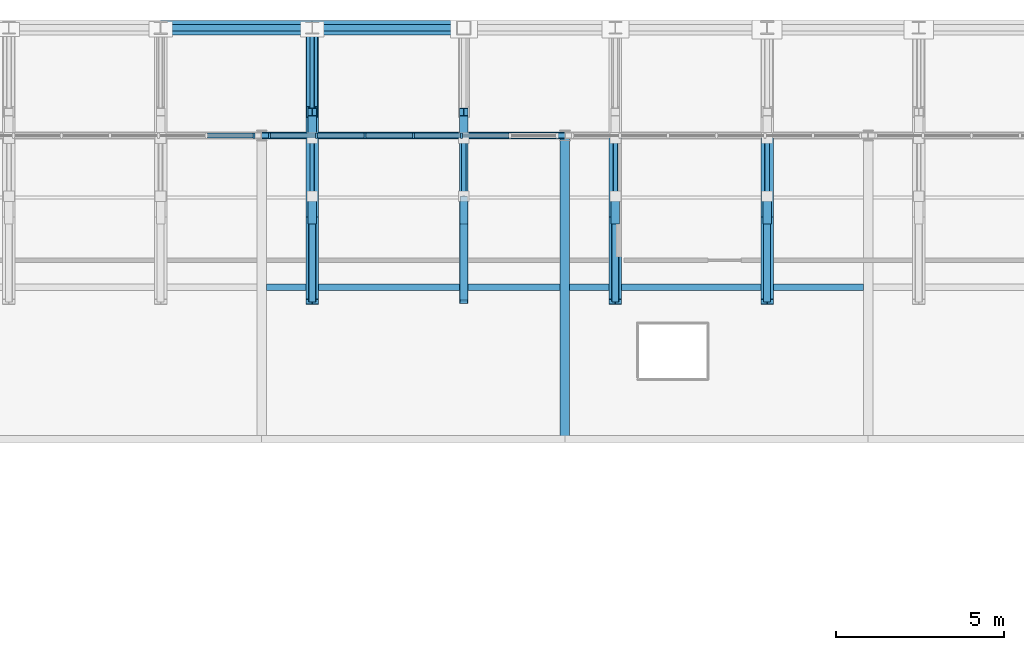
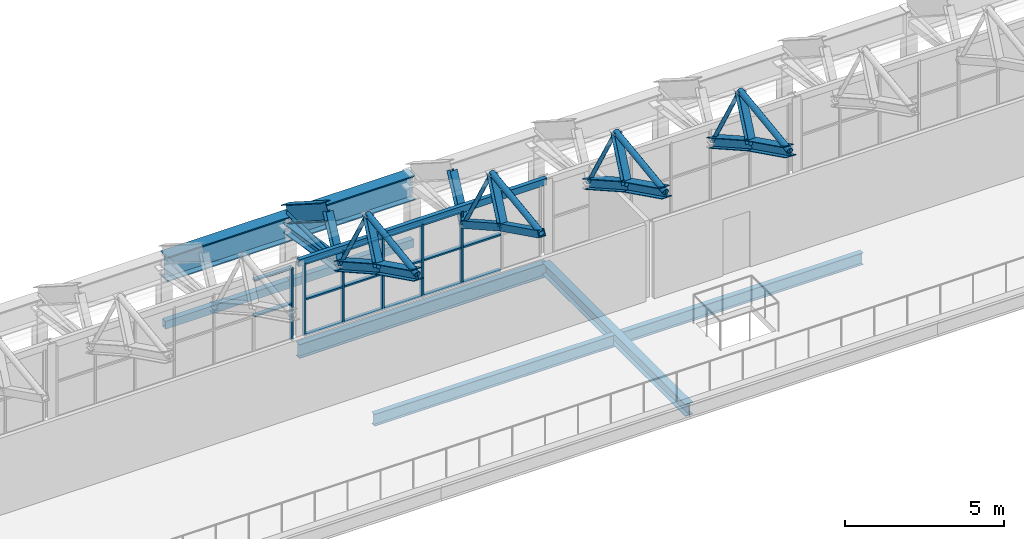
# One storey, part 71 of 134: 46 members, 10 beams, 2 elements without a shape of their own.
"""IFC4 building model written with IfcOpenShell, lengths in metres."""

from ifc_helpers import new_model, si_unit, direction, frame, origin, origin_2d, place, context, subcontext, project, spatial, rectangle, hollow_rectangle, hollow_circle, i_section, extrude, material, layer, layer_set, material_profile, profile_set, type_object, element, aggregate, save


model = new_model("IFC4")

# Units and contexts
model_context = context("Model", 3, precision=1e-05, world=origin(), true_north=direction((0.0, 1.0)))
body_context = subcontext(model_context, "Body", "Model", "MODEL_VIEW")
ifc_project = project(units=[si_unit("LENGTHUNIT", "METRE"), si_unit("AREAUNIT", "SQUARE_METRE"), si_unit("VOLUMEUNIT", "CUBIC_METRE"), si_unit("PLANEANGLEUNIT", "RADIAN"), si_unit("MASSUNIT", "GRAM", prefix="KILO")], contexts=[model_context])

# Site, building, storey
site_placement = place(None, origin())
site = spatial("IfcSite", under=ifc_project, at=site_placement, CompositionType="ELEMENT")
building_placement = place(site_placement, origin())
building = spatial("IfcBuilding", under=site, at=building_placement, Name="Cazmaro Siding Exhibition Halls", CompositionType="ELEMENT")
storey_placement = place(building_placement, frame((0.0, 0.0, 12.0)))
storey = spatial("IfcBuildingStorey", under=building, at=storey_placement, Name="L02", CompositionType="ELEMENT", Elevation=12.0)

# Beams
ifc_material_1 = material(Name="Steel ASTM A992 Grade 50", Category="steel")
ifc_material_profile_1 = material_profile(ifc_material_1, i_section(OverallWidth=0.327880859375, OverallDepth=0.626953125, WebThickness=0.01708984375, FlangeThickness=0.028076171875, at=origin_2d()), Name="W24X146")
ifc_profile_set_1 = profile_set([ifc_material_profile_1], Name="Steel ASTM A992 Grade 50")
beam_type_1 = type_object("IfcBeamType", Name="AR-01", PredefinedType="USERDEFINED", material=ifc_profile_set_1)
beam_1_placement = place(storey_placement, frame((112.5, 121.5, 3.89306640625), z_axis=(0.0, 0.843339173298, -0.537381650954), x_axis=(-1.0, 0.0, 0.0)))
element("IfcBeam", 1, at=beam_1_placement, inside=storey, type_object=beam_type_1, Name="Space frame barrel vault arched rib AR-01 BM-0918", ObjectType="ARCHED RIB", PredefinedType="USERDEFINED", context=body_context, shape_type="SweptSolid", body=[
    extrude(i_section(OverallWidth=0.327880859375, OverallDepth=0.626953125, WebThickness=0.01708984375, FlangeThickness=0.028076171875, at=origin_2d()), origin(), (0.0, 0.0, 1.0), 2.96435546875),
])
ifc_material_2 = material(Name="Steel ASTM A992 Grade 50", Category="steel")
ifc_material_profile_2 = material_profile(ifc_material_2, i_section(OverallWidth=0.2099609375, OverallDepth=0.535888671875, WebThickness=0.010986328125, FlangeThickness=0.01708984375, at=origin_2d()), Name="W21X68")
ifc_profile_set_2 = profile_set([ifc_material_profile_2], Name="Steel ASTM A992 Grade 50")
beam_type_2 = type_object("IfcBeamType", Name="B-02", PredefinedType="BEAM", material=ifc_profile_set_2)
beam_2_placement = place(storey_placement, frame((111.0, 120.800048828125, -0.488037109375), z_axis=(1.0, 0.0, 0.0), x_axis=(0.0, 1.0, 0.0)))
element("IfcBeam", 2, at=beam_2_placement, inside=storey, type_object=beam_type_2, Name="Beam B-02 BM-0420", PredefinedType="BEAM", context=body_context, shape_type="SweptSolid", body=[
    extrude(i_section(OverallWidth=0.2099609375, OverallDepth=0.535888671875, WebThickness=0.010986328125, FlangeThickness=0.01708984375, at=origin_2d()), origin(), (0.0, 0.0, 1.0), 9.0),
])
ifc_material_3 = material(Name="Steel ASTM A992 Grade 50", Category="steel")
ifc_material_profile_3 = material_profile(ifc_material_3, i_section(OverallWidth=0.279052734375, OverallDepth=0.4619140625, WebThickness=0.010986328125, FlangeThickness=0.01708984375, at=origin_2d()), Name="W18X76")
ifc_profile_set_3 = profile_set([ifc_material_profile_3], Name="Steel ASTM A992 Grade 50")
beam_type_3 = type_object("IfcBeamType", Name="B-03", PredefinedType="BEAM", material=ifc_profile_set_3)
beam_3_placement = place(storey_placement, frame((120.0, 111.800048828125, -0.450927734375), z_axis=(0.0, 1.0, 0.0), x_axis=(-1.0, 0.0, 0.0)))
element("IfcBeam", 3, at=beam_3_placement, inside=storey, type_object=beam_type_3, Name="Beam B-03 BM-0445", PredefinedType="BEAM", context=body_context, shape_type="SweptSolid", body=[
    extrude(i_section(OverallWidth=0.279052734375, OverallDepth=0.4619140625, WebThickness=0.010986328125, FlangeThickness=0.01708984375, at=origin_2d()), origin(), (0.0, 0.0, 1.0), 9.0),
])

# Curtain wall, member
ifc_material_4 = material(Name="Anodized Bronze Aluminum and Solar-Control Low-E Glazing", Category="aluminium")
ifc_layer = layer(ifc_material_4, 0.159912109375)
ifc_layer_set = layer_set([ifc_layer], Name="Anodized Bronze Aluminum and Solar-Control Low-E Glazing")
curtain_wall_type = type_object("IfcCurtainWallType", Name="CWS-04", PredefinedType="USERDEFINED", material=ifc_layer_set)
curtain_wall_1_placement = place(storey_placement, origin())
curtain_wall_1 = element("IfcCurtainWall", 4, at=curtain_wall_1_placement, inside=storey, type_object=curtain_wall_type, Name="Clerestory Curtain Wall CWS-04 CW-026", ObjectType="CLERESTORY CURTAIN WALL", PredefinedType="USERDEFINED")
ifc_material_5 = material(Name="Anodized Bronze Extruded Aluminum", Category="aluminium")
ifc_material_profile_4 = material_profile(ifc_material_5, rectangle(XDim=0.159912109375, YDim=0.06005859375, at=origin_2d()), Name="CWM-04")
ifc_profile_set_4 = profile_set([ifc_material_profile_4], Name="Anodized Bronze Extruded Aluminum")
member_type_1 = type_object("IfcMemberType", Name="CWM-04", PredefinedType="MULLION", material=ifc_profile_set_4)
member_1_placement = place(storey_placement, frame((110.77294921875, 120.800048828125, 0.0), z_axis=(0.0, 0.0, 1.0), x_axis=(0.0, -1.0, 0.0)))
member_1 = element("IfcMember", 5, at=member_1_placement, type_object=member_type_1, Name="CWS-04 mullion 1", PredefinedType="MULLION", context=body_context, shape_type="SweptSolid", body=[
    extrude(rectangle(XDim=0.159912109375, YDim=0.06005859375, at=origin_2d()), origin(), (0.0, 0.0, 1.0), 2.800048828125),
])

# Curtain wall, members
curtain_wall_2_placement = place(storey_placement, origin())
curtain_wall_2 = element("IfcCurtainWall", 6, at=curtain_wall_2_placement, inside=storey, type_object=curtain_wall_type, Name="Clerestory Curtain Wall CWS-04 CW-031", ObjectType="CLERESTORY CURTAIN WALL", PredefinedType="USERDEFINED")
member_2_placement = place(storey_placement, frame((116.934326171875, 120.800048828125, 0.0), z_axis=(0.0, 0.0, 1.0), x_axis=(0.0, -1.0, 0.0)))
member_2 = element("IfcMember", 7, at=member_2_placement, type_object=member_type_1, Name="CWS-04 mullion 3", PredefinedType="MULLION", context=body_context, shape_type="SweptSolid", body=[
    extrude(rectangle(XDim=0.159912109375, YDim=0.06005859375, at=origin_2d()), origin(), (0.0, 0.0, 1.0), 2.800048828125),
])
member_3_placement = place(storey_placement, frame((115.5, 120.800048828125, 0.0), z_axis=(0.0, 0.0, 1.0), x_axis=(0.0, -1.0, 0.0)))
member_3 = element("IfcMember", 8, at=member_3_placement, type_object=member_type_1, Name="CWS-04 mullion 4", PredefinedType="MULLION", context=body_context, shape_type="SweptSolid", body=[
    extrude(rectangle(XDim=0.159912109375, YDim=0.06005859375, at=origin_2d()), origin(), (0.0, 0.0, 1.0), 2.800048828125),
])
member_4_placement = place(storey_placement, frame((114.065673828125, 120.800048828125, 0.0), z_axis=(0.0, 0.0, 1.0), x_axis=(0.0, -1.0, 0.0)))
member_4 = element("IfcMember", 9, at=member_4_placement, type_object=member_type_1, Name="CWS-04 mullion 5", PredefinedType="MULLION", context=body_context, shape_type="SweptSolid", body=[
    extrude(rectangle(XDim=0.159912109375, YDim=0.06005859375, at=origin_2d()), origin(), (0.0, 0.0, 1.0), 2.800048828125),
])
member_5_placement = place(storey_placement, frame((112.63134765625, 120.800048828125, 0.0), z_axis=(0.0, 0.0, 1.0), x_axis=(0.0, -1.0, 0.0)))
member_5 = element("IfcMember", 10, at=member_5_placement, type_object=member_type_1, Name="CWS-04 mullion 6", PredefinedType="MULLION", context=body_context, shape_type="SweptSolid", body=[
    extrude(rectangle(XDim=0.159912109375, YDim=0.06005859375, at=origin_2d()), origin(), (0.0, 0.0, 1.0), 2.800048828125),
])
member_6_placement = place(storey_placement, frame((111.22705078125, 120.800048828125, 0.0), z_axis=(0.0, 0.0, 1.0), x_axis=(0.0, -1.0, 0.0)))
member_6 = element("IfcMember", 11, at=member_6_placement, type_object=member_type_1, Name="CWS-04 mullion 7", PredefinedType="MULLION", context=body_context, shape_type="SweptSolid", body=[
    extrude(rectangle(XDim=0.159912109375, YDim=0.06005859375, at=origin_2d()), origin(), (0.0, 0.0, 1.0), 2.800048828125),
])

# Member
ifc_material_6 = material(Name="Anodized Bronze Extruded Aluminum", Category="aluminium")
ifc_material_profile_5 = material_profile(ifc_material_6, rectangle(XDim=0.139892578125, YDim=0.06005859375, at=origin_2d()), Name="CWT-04")
ifc_profile_set_5 = profile_set([ifc_material_profile_5], Name="Anodized Bronze Extruded Aluminum")
member_type_2 = type_object("IfcMemberType", Name="CWT-04", PredefinedType="MULLION", material=ifc_profile_set_5)
member_7_placement = place(storey_placement, frame((110.742919921875, 120.800048828125, 1.39990234375), z_axis=(-1.0, 0.0, 0.0), x_axis=(0.0, -1.0, 0.0)))
member_7 = element("IfcMember", 12, at=member_7_placement, type_object=member_type_2, Name="CWS-04 transom 1.2", ObjectType="TRANSOM", PredefinedType="USERDEFINED", context=body_context, shape_type="SweptSolid", body=[
    extrude(rectangle(XDim=0.139892578125, YDim=0.06005859375, at=origin_2d()), origin(), (0.0, 0.0, 1.0), 1.34423828125),
])

member_8_placement = place(storey_placement, frame((110.742919921875, 120.800048828125, 2.77001953125), z_axis=(-1.0, 0.0, 0.0), x_axis=(0.0, -1.0, 0.0)))
member_8 = element("IfcMember", 13, at=member_8_placement, type_object=member_type_2, Name="CWS-04 transom 1.3", ObjectType="TRANSOM", PredefinedType="USERDEFINED", context=body_context, shape_type="SweptSolid", body=[
    extrude(rectangle(XDim=0.139892578125, YDim=0.06005859375, at=origin_2d()), origin(), (0.0, 0.0, 1.0), 1.34423828125),
])

aggregate(curtain_wall_1, [member_1, member_7, member_8])

member_9_placement = place(storey_placement, frame((118.338623046875, 120.800048828125, 0.030029296875), z_axis=(-1.0, 0.0, 0.0), x_axis=(0.0, -1.0, 0.0)))
member_9 = element("IfcMember", 14, at=member_9_placement, type_object=member_type_2, Name="CWS-04 transom 2.1", ObjectType="TRANSOM", PredefinedType="USERDEFINED", context=body_context, shape_type="SweptSolid", body=[
    extrude(rectangle(XDim=0.139892578125, YDim=0.06005859375, at=origin_2d()), origin(), (0.0, 0.0, 1.0), 1.374267578125),
])

member_10_placement = place(storey_placement, frame((118.338623046875, 120.800048828125, 1.39990234375), z_axis=(-1.0, 0.0, 0.0), x_axis=(0.0, -1.0, 0.0)))
member_10 = element("IfcMember", 15, at=member_10_placement, type_object=member_type_2, Name="CWS-04 transom 2.2", ObjectType="TRANSOM", PredefinedType="USERDEFINED", context=body_context, shape_type="SweptSolid", body=[
    extrude(rectangle(XDim=0.139892578125, YDim=0.06005859375, at=origin_2d()), origin(), (0.0, 0.0, 1.0), 1.374267578125),
])

member_11_placement = place(storey_placement, frame((116.904296875, 120.800048828125, 0.030029296875), z_axis=(-1.0, 0.0, 0.0), x_axis=(0.0, -1.0, 0.0)))
member_11 = element("IfcMember", 16, at=member_11_placement, type_object=member_type_2, Name="CWS-04 transom 3.1", ObjectType="TRANSOM", PredefinedType="USERDEFINED", context=body_context, shape_type="SweptSolid", body=[
    extrude(rectangle(XDim=0.139892578125, YDim=0.06005859375, at=origin_2d()), origin(), (0.0, 0.0, 1.0), 1.374267578125),
])

member_12_placement = place(storey_placement, frame((116.904296875, 120.800048828125, 1.39990234375), z_axis=(-1.0, 0.0, 0.0), x_axis=(0.0, -1.0, 0.0)))
member_12 = element("IfcMember", 17, at=member_12_placement, type_object=member_type_2, Name="CWS-04 transom 3.2", ObjectType="TRANSOM", PredefinedType="USERDEFINED", context=body_context, shape_type="SweptSolid", body=[
    extrude(rectangle(XDim=0.139892578125, YDim=0.06005859375, at=origin_2d()), origin(), (0.0, 0.0, 1.0), 1.374267578125),
])

member_13_placement = place(storey_placement, frame((116.904296875, 120.800048828125, 2.77001953125), z_axis=(-1.0, 0.0, 0.0), x_axis=(0.0, -1.0, 0.0)))
member_13 = element("IfcMember", 18, at=member_13_placement, type_object=member_type_2, Name="CWS-04 transom 3.3", ObjectType="TRANSOM", PredefinedType="USERDEFINED", context=body_context, shape_type="SweptSolid", body=[
    extrude(rectangle(XDim=0.139892578125, YDim=0.06005859375, at=origin_2d()), origin(), (0.0, 0.0, 1.0), 1.374267578125),
])

member_14_placement = place(storey_placement, frame((115.469970703125, 120.800048828125, 0.030029296875), z_axis=(-1.0, 0.0, 0.0), x_axis=(0.0, -1.0, 0.0)))
member_14 = element("IfcMember", 19, at=member_14_placement, type_object=member_type_2, Name="CWS-04 transom 4.1", ObjectType="TRANSOM", PredefinedType="USERDEFINED", context=body_context, shape_type="SweptSolid", body=[
    extrude(rectangle(XDim=0.139892578125, YDim=0.06005859375, at=origin_2d()), origin(), (0.0, 0.0, 1.0), 1.374267578125),
])

member_15_placement = place(storey_placement, frame((115.469970703125, 120.800048828125, 1.39990234375), z_axis=(-1.0, 0.0, 0.0), x_axis=(0.0, -1.0, 0.0)))
member_15 = element("IfcMember", 20, at=member_15_placement, type_object=member_type_2, Name="CWS-04 transom 4.2", ObjectType="TRANSOM", PredefinedType="USERDEFINED", context=body_context, shape_type="SweptSolid", body=[
    extrude(rectangle(XDim=0.139892578125, YDim=0.06005859375, at=origin_2d()), origin(), (0.0, 0.0, 1.0), 1.374267578125),
])

member_16_placement = place(storey_placement, frame((115.469970703125, 120.800048828125, 2.77001953125), z_axis=(-1.0, 0.0, 0.0), x_axis=(0.0, -1.0, 0.0)))
member_16 = element("IfcMember", 21, at=member_16_placement, type_object=member_type_2, Name="CWS-04 transom 4.3", ObjectType="TRANSOM", PredefinedType="USERDEFINED", context=body_context, shape_type="SweptSolid", body=[
    extrude(rectangle(XDim=0.139892578125, YDim=0.06005859375, at=origin_2d()), origin(), (0.0, 0.0, 1.0), 1.374267578125),
])

member_17_placement = place(storey_placement, frame((114.03564453125, 120.800048828125, 0.030029296875), z_axis=(-1.0, 0.0, 0.0), x_axis=(0.0, -1.0, 0.0)))
member_17 = element("IfcMember", 22, at=member_17_placement, type_object=member_type_2, Name="CWS-04 transom 5.1", ObjectType="TRANSOM", PredefinedType="USERDEFINED", context=body_context, shape_type="SweptSolid", body=[
    extrude(rectangle(XDim=0.139892578125, YDim=0.06005859375, at=origin_2d()), origin(), (0.0, 0.0, 1.0), 1.374267578125),
])

member_18_placement = place(storey_placement, frame((114.03564453125, 120.800048828125, 1.39990234375), z_axis=(-1.0, 0.0, 0.0), x_axis=(0.0, -1.0, 0.0)))
member_18 = element("IfcMember", 23, at=member_18_placement, type_object=member_type_2, Name="CWS-04 transom 5.2", ObjectType="TRANSOM", PredefinedType="USERDEFINED", context=body_context, shape_type="SweptSolid", body=[
    extrude(rectangle(XDim=0.139892578125, YDim=0.06005859375, at=origin_2d()), origin(), (0.0, 0.0, 1.0), 1.374267578125),
])

member_19_placement = place(storey_placement, frame((114.03564453125, 120.800048828125, 2.77001953125), z_axis=(-1.0, 0.0, 0.0), x_axis=(0.0, -1.0, 0.0)))
member_19 = element("IfcMember", 24, at=member_19_placement, type_object=member_type_2, Name="CWS-04 transom 5.3", ObjectType="TRANSOM", PredefinedType="USERDEFINED", context=body_context, shape_type="SweptSolid", body=[
    extrude(rectangle(XDim=0.139892578125, YDim=0.06005859375, at=origin_2d()), origin(), (0.0, 0.0, 1.0), 1.374267578125),
])

member_20_placement = place(storey_placement, frame((112.601318359375, 120.800048828125, 0.030029296875), z_axis=(-1.0, 0.0, 0.0), x_axis=(0.0, -1.0, 0.0)))
member_20 = element("IfcMember", 25, at=member_20_placement, type_object=member_type_2, Name="CWS-04 transom 6.1", ObjectType="TRANSOM", PredefinedType="USERDEFINED", context=body_context, shape_type="SweptSolid", body=[
    extrude(rectangle(XDim=0.139892578125, YDim=0.06005859375, at=origin_2d()), origin(), (0.0, 0.0, 1.0), 1.34423828125),
])

member_21_placement = place(storey_placement, frame((112.601318359375, 120.800048828125, 1.39990234375), z_axis=(-1.0, 0.0, 0.0), x_axis=(0.0, -1.0, 0.0)))
member_21 = element("IfcMember", 26, at=member_21_placement, type_object=member_type_2, Name="CWS-04 transom 6.2", ObjectType="TRANSOM", PredefinedType="USERDEFINED", context=body_context, shape_type="SweptSolid", body=[
    extrude(rectangle(XDim=0.139892578125, YDim=0.06005859375, at=origin_2d()), origin(), (0.0, 0.0, 1.0), 1.34423828125),
])

member_22_placement = place(storey_placement, frame((112.601318359375, 120.800048828125, 2.77001953125), z_axis=(-1.0, 0.0, 0.0), x_axis=(0.0, -1.0, 0.0)))
member_22 = element("IfcMember", 27, at=member_22_placement, type_object=member_type_2, Name="CWS-04 transom 6.3", ObjectType="TRANSOM", PredefinedType="USERDEFINED", context=body_context, shape_type="SweptSolid", body=[
    extrude(rectangle(XDim=0.139892578125, YDim=0.06005859375, at=origin_2d()), origin(), (0.0, 0.0, 1.0), 1.34423828125),
])

aggregate(curtain_wall_2, [member_2, member_3, member_4, member_5, member_6, member_9, member_10, member_11, member_12, member_13, member_14, member_15, member_16, member_17, member_18, member_19, member_20, member_21, member_22])

# Beams
ifc_material_7 = material(Name="Steel ASTM A992 Grade 50", Category="steel")
ifc_material_profile_6 = material_profile(ifc_material_7, i_section(OverallWidth=0.424072265625, OverallDepth=0.947021484375, WebThickness=0.02392578125, FlangeThickness=0.04296875, at=origin_2d()), Name="W36X302")
ifc_profile_set_6 = profile_set([ifc_material_profile_6], Name="Steel ASTM A992 Grade 50")
beam_type_4 = type_object("IfcBeamType", Name="G-01", PredefinedType="USERDEFINED", material=ifc_profile_set_6)
for number, where, z_axis, x_axis, name in (
    (28, (108.0, 124.0, 1.826904296875), (1.0, 0.0, 0.0), (0.0, 1.0, 0.0), "Beam G-01 BM-0150"),
    (29, (112.5, 124.0, 1.826904296875), (1.0, 0.0, 0.0), (0.0, 1.0, 0.0), "Beam G-01 BM-0156"),
):
    element("IfcBeam", number, at=place(storey_placement, frame(where, z_axis=z_axis, x_axis=x_axis)), inside=storey, type_object=beam_type_4, Name=name, ObjectType="GIRDER", PredefinedType="USERDEFINED", context=body_context, shape_type="SweptSolid", body=[
        extrude(i_section(OverallWidth=0.424072265625, OverallDepth=0.947021484375, WebThickness=0.02392578125, FlangeThickness=0.04296875, at=origin_2d()), origin(), (0.0, 0.0, 1.0), 4.5),
    ])
ifc_material_8 = material(Name="Steel ASTM A992 Grade 50", Category="steel")
ifc_material_profile_7 = material_profile(ifc_material_8, i_section(OverallWidth=0.19091796875, OverallDepth=0.45703125, WebThickness=0.009033203125, FlangeThickness=0.013916015625, at=origin_2d()), Name="W18X50")
ifc_profile_set_7 = profile_set([ifc_material_profile_7], Name="Steel ASTM A992 Grade 50")
beam_type_5 = type_object("IfcBeamType", Name="J-01", PredefinedType="JOIST", material=ifc_profile_set_7)
for number, where, z_axis, x_axis, name in (
    (30, (111.139892578125, 116.300048828125, -0.448974609375), (1.0, 0.0, 0.0), (0.0, 1.0, 0.0), "Beam J-01 BM-0421"),
    (31, (120.139892578125, 116.300048828125, -0.448974609375), (1.0, 0.0, 0.0), (0.0, 1.0, 0.0), "Beam J-01 BM-0424"),
):
    element("IfcBeam", number, at=place(storey_placement, frame(where, z_axis=z_axis, x_axis=x_axis)), inside=storey, type_object=beam_type_5, Name=name, PredefinedType="JOIST", context=body_context, shape_type="SweptSolid", body=[
        extrude(i_section(OverallWidth=0.19091796875, OverallDepth=0.45703125, WebThickness=0.009033203125, FlangeThickness=0.013916015625, at=origin_2d()), origin(), (0.0, 0.0, 1.0), 8.72021484375),
    ])
ifc_material_9 = material(Name="Steel ASTM A500 Grade C", Category="steel")
ifc_material_profile_8 = material_profile(ifc_material_9, hollow_rectangle(XDim=0.202880859375, YDim=0.304931640625, WallThickness=0.011962890625, at=origin_2d()), Name="HSS12X8X1/2")
ifc_profile_set_8 = profile_set([ifc_material_profile_8], Name="Steel ASTM A500 Grade C")
beam_type_6 = type_object("IfcBeamType", Name="SP-01", PredefinedType="SPANDREL", material=ifc_profile_set_8)
for number, where, z_axis, x_axis, name in (
    (32, (108.0, 124.0, -0.373046875), (1.0, 0.0, 0.0), (0.0, 1.0, 0.0), "Beam SP-01 BM-0149"),
    (33, (112.5, 124.0, -0.373046875), (1.0, 0.0, 0.0), (0.0, 1.0, 0.0), "Beam SP-01 BM-0155"),
):
    element("IfcBeam", number, at=place(storey_placement, frame(where, z_axis=z_axis, x_axis=x_axis)), inside=storey, type_object=beam_type_6, Name=name, PredefinedType="SPANDREL", context=body_context, shape_type="SweptSolid", body=[
        extrude(hollow_rectangle(XDim=0.202880859375, YDim=0.304931640625, WallThickness=0.011962890625, at=origin_2d()), origin(), (0.0, 0.0, 1.0), 4.5),
    ])
ifc_material_10 = material(Name="Steel ASTM A500 Grade C", Category="steel")
ifc_material_profile_9 = material_profile(ifc_material_10, hollow_rectangle(XDim=0.152099609375, YDim=0.25390625, WallThickness=0.011962890625, at=origin_2d()), Name="HSS10X6X1/2")
ifc_profile_set_9 = profile_set([ifc_material_profile_9], Name="Steel ASTM A500 Grade C")
beam_type_7 = type_object("IfcBeamType", Name="SP-02", PredefinedType="SPANDREL", material=ifc_profile_set_9)
beam_4_placement = place(storey_placement, frame((111.0, 120.800048828125, 2.873046875), z_axis=(1.0, 0.0, 0.0), x_axis=(0.0, 1.0, 0.0)))
element("IfcBeam", 34, at=beam_4_placement, inside=storey, type_object=beam_type_7, Name="Beam SP-02 BM-0242", PredefinedType="SPANDREL", context=body_context, shape_type="SweptSolid", body=[
    extrude(hollow_rectangle(XDim=0.152099609375, YDim=0.25390625, WallThickness=0.011962890625, at=origin_2d()), origin(), (0.0, 0.0, 1.0), 9.0),
])

# Members
ifc_material_11 = material(Name="Steel ASTM A500 Grade C", Category="steel")
ifc_material_profile_10 = material_profile(ifc_material_11, hollow_rectangle(XDim=0.25390625, YDim=0.25390625, WallThickness=0.014892578125, at=origin_2d()), Name="HSS10X10X5/8")
ifc_profile_set_10 = profile_set([ifc_material_profile_10], Name="Steel ASTM A500 Grade C")
member_type_3 = type_object("IfcMemberType", Name="TC-01", PredefinedType="CHORD", material=ifc_profile_set_10)
member_23_placement = place(storey_placement, frame((117.0, 115.868896484375, 4.87890625), z_axis=(0.0, 0.896077457924, -0.443897724033), x_axis=(-1.0, 0.0, 0.0)))
element("IfcMember", 35, at=member_23_placement, inside=storey, type_object=member_type_3, Name="Space frame barrel vault bottom chord TC-01 MEM-1131", PredefinedType="CHORD", context=body_context, shape_type="SweptSolid", body=[
    extrude(hollow_rectangle(XDim=0.25390625, YDim=0.25390625, WallThickness=0.014892578125, at=origin_2d()), origin(), (0.0, 0.0, 1.0), 2.7119140625),
])
member_24_placement = place(storey_placement, frame((117.0, 118.299072265625, 3.675048828125), z_axis=(0.0, 0.871222319466, -0.490888653428), x_axis=(-1.0, 0.0, 0.0)))
element("IfcMember", 36, at=member_24_placement, inside=storey, type_object=member_type_3, Name="Space frame barrel vault bottom chord TC-01 MEM-1133", PredefinedType="CHORD", context=body_context, shape_type="SweptSolid", body=[
    extrude(hollow_rectangle(XDim=0.25390625, YDim=0.25390625, WallThickness=0.014892578125, at=origin_2d()), origin(), (0.0, 0.0, 1.0), 2.7890625),
])
ifc_material_12 = material(Name="Steel ASTM A992 Grade 50", Category="steel")
ifc_material_profile_11 = material_profile(ifc_material_12, i_section(OverallWidth=0.37109375, OverallDepth=0.364013671875, WebThickness=0.012939453125, FlangeThickness=0.02197265625, at=origin_2d()), Name="W14X109")
ifc_profile_set_11 = profile_set([ifc_material_profile_11], Name="Steel ASTM A992 Grade 50")
member_type_4 = type_object("IfcMemberType", Name="TC-06", PredefinedType="CHORD", material=ifc_profile_set_11)
member_25_placement = place(storey_placement, frame((112.5, 115.868896484375, 4.87890625), z_axis=(0.0, 0.896077457924, -0.443897724033), x_axis=(-1.0, 0.0, 0.0)))
element("IfcMember", 37, at=member_25_placement, inside=storey, type_object=member_type_4, Name="Space frame barrel vault bottom chord TC-06 MEM-1060", PredefinedType="CHORD", context=body_context, shape_type="SweptSolid", body=[
    extrude(i_section(OverallWidth=0.37109375, OverallDepth=0.364013671875, WebThickness=0.012939453125, FlangeThickness=0.02197265625, at=origin_2d()), origin(), (0.0, 0.0, 1.0), 2.7119140625),
])
member_26_placement = place(storey_placement, frame((112.5, 118.299072265625, 3.675048828125), z_axis=(0.0, 0.871222319466, -0.490888653428), x_axis=(-1.0, 0.0, 0.0)))
element("IfcMember", 38, at=member_26_placement, inside=storey, type_object=member_type_4, Name="Space frame barrel vault bottom chord TC-06 MEM-1062", PredefinedType="CHORD", context=body_context, shape_type="SweptSolid", body=[
    extrude(i_section(OverallWidth=0.37109375, OverallDepth=0.364013671875, WebThickness=0.012939453125, FlangeThickness=0.02197265625, at=origin_2d()), origin(), (0.0, 0.0, 1.0), 2.7890625),
])
member_27_placement = place(storey_placement, frame((112.5, 120.72900390625, 2.305908203125), z_axis=(0.0, 0.988252010809, -0.152833121839), x_axis=(-1.0, 0.0, 0.0)))
element("IfcMember", 39, at=member_27_placement, inside=storey, type_object=member_type_4, Name="Space frame barrel vault bottom chord TC-06 MEM-1064", PredefinedType="CHORD", context=body_context, shape_type="SweptSolid", body=[
    extrude(i_section(OverallWidth=0.37109375, OverallDepth=0.364013671875, WebThickness=0.012939453125, FlangeThickness=0.02197265625, at=origin_2d()), origin(), (0.0, 0.0, 1.0), 3.309814453125),
])
member_28_placement = place(storey_placement, frame((121.5, 115.868896484375, 4.87890625), z_axis=(0.0, 0.896077457924, -0.443897724033), x_axis=(-1.0, 0.0, 0.0)))
element("IfcMember", 40, at=member_28_placement, inside=storey, type_object=member_type_4, Name="Space frame barrel vault bottom chord TC-06 MEM-1202", PredefinedType="CHORD", context=body_context, shape_type="SweptSolid", body=[
    extrude(i_section(OverallWidth=0.37109375, OverallDepth=0.364013671875, WebThickness=0.012939453125, FlangeThickness=0.02197265625, at=origin_2d()), origin(), (0.0, 0.0, 1.0), 2.7119140625),
])
member_29_placement = place(storey_placement, frame((121.5, 118.299072265625, 3.675048828125), z_axis=(0.0, 0.871222319466, -0.490888653428), x_axis=(-1.0, 0.0, 0.0)))
element("IfcMember", 41, at=member_29_placement, inside=storey, type_object=member_type_4, Name="Space frame barrel vault bottom chord TC-06 MEM-1204", PredefinedType="CHORD", context=body_context, shape_type="SweptSolid", body=[
    extrude(i_section(OverallWidth=0.37109375, OverallDepth=0.364013671875, WebThickness=0.012939453125, FlangeThickness=0.02197265625, at=origin_2d()), origin(), (0.0, 0.0, 1.0), 2.7890625),
])
member_30_placement = place(storey_placement, frame((126.0, 115.868896484375, 4.87890625), z_axis=(0.0, 0.896077457924, -0.443897724033), x_axis=(-1.0, 0.0, 0.0)))
element("IfcMember", 42, at=member_30_placement, inside=storey, type_object=member_type_4, Name="Space frame barrel vault bottom chord TC-06 MEM-1273", PredefinedType="CHORD", context=body_context, shape_type="SweptSolid", body=[
    extrude(i_section(OverallWidth=0.37109375, OverallDepth=0.364013671875, WebThickness=0.012939453125, FlangeThickness=0.02197265625, at=origin_2d()), origin(), (0.0, 0.0, 1.0), 2.7119140625),
])
member_31_placement = place(storey_placement, frame((126.0, 118.299072265625, 3.675048828125), z_axis=(0.0, 0.871222319466, -0.490888653428), x_axis=(-1.0, 0.0, 0.0)))
element("IfcMember", 43, at=member_31_placement, inside=storey, type_object=member_type_4, Name="Space frame barrel vault bottom chord TC-06 MEM-1275", PredefinedType="CHORD", context=body_context, shape_type="SweptSolid", body=[
    extrude(i_section(OverallWidth=0.37109375, OverallDepth=0.364013671875, WebThickness=0.012939453125, FlangeThickness=0.02197265625, at=origin_2d()), origin(), (0.0, 0.0, 1.0), 2.7890625),
])
ifc_material_13 = material(Name="Steel ASTM A992 Grade 50", Category="steel")
ifc_material_profile_12 = material_profile(ifc_material_13, i_section(OverallWidth=0.25390625, OverallDepth=0.25390625, WebThickness=0.009033203125, FlangeThickness=0.013916015625, at=origin_2d()), Name="W10X49")
ifc_profile_set_12 = profile_set([ifc_material_profile_12], Name="Steel ASTM A992 Grade 50")
member_type_5 = type_object("IfcMemberType", Name="TP-04", PredefinedType="POST", material=ifc_profile_set_12)
member_32_placement = place(storey_placement, frame((112.5, 118.299072265625, 3.675048828125), z_axis=(0.0, 0.395865434272, 0.918308530913), x_axis=(-1.0, 0.0, 0.0)))
element("IfcMember", 44, at=member_32_placement, inside=storey, type_object=member_type_5, Name="Space frame barrel vault post TP-04 MEM-1087", PredefinedType="POST", context=body_context, shape_type="SweptSolid", body=[
    extrude(i_section(OverallWidth=0.25390625, OverallDepth=0.25390625, WebThickness=0.009033203125, FlangeThickness=0.013916015625, at=origin_2d()), origin(), (0.0, 0.0, 1.0), 1.7705078125),
])
member_33_placement = place(storey_placement, frame((112.5, 120.72900390625, 2.305908203125), z_axis=(0.0, 0.436945543824, 0.89948796086), x_axis=(-1.0, 0.0, 0.0)))
element("IfcMember", 45, at=member_33_placement, inside=storey, type_object=member_type_5, Name="Space frame barrel vault post TP-04 MEM-1088", PredefinedType="POST", context=body_context, shape_type="SweptSolid", body=[
    extrude(i_section(OverallWidth=0.25390625, OverallDepth=0.25390625, WebThickness=0.009033203125, FlangeThickness=0.013916015625, at=origin_2d()), origin(), (0.0, 0.0, 1.0), 1.764404296875),
])
member_34_placement = place(storey_placement, frame((117.0, 118.299072265625, 3.675048828125), z_axis=(0.0, 0.395865434272, 0.918308530913), x_axis=(-1.0, 0.0, 0.0)))
element("IfcMember", 46, at=member_34_placement, inside=storey, type_object=member_type_5, Name="Space frame barrel vault post TP-04 MEM-1158", PredefinedType="POST", context=body_context, shape_type="SweptSolid", body=[
    extrude(i_section(OverallWidth=0.25390625, OverallDepth=0.25390625, WebThickness=0.009033203125, FlangeThickness=0.013916015625, at=origin_2d()), origin(), (0.0, 0.0, 1.0), 1.7705078125),
])
member_35_placement = place(storey_placement, frame((117.0, 120.72900390625, 2.305908203125), z_axis=(0.0, 0.436945543824, 0.89948796086), x_axis=(-1.0, 0.0, 0.0)))
element("IfcMember", 47, at=member_35_placement, inside=storey, type_object=member_type_5, Name="Space frame barrel vault post TP-04 MEM-1159", PredefinedType="POST", context=body_context, shape_type="SweptSolid", body=[
    extrude(i_section(OverallWidth=0.25390625, OverallDepth=0.25390625, WebThickness=0.009033203125, FlangeThickness=0.013916015625, at=origin_2d()), origin(), (0.0, 0.0, 1.0), 1.764404296875),
])
for number, where, z_axis, x_axis, name in (
    (48, (121.5, 118.299072265625, 3.675048828125), (0.0, 0.395865434272, 0.918308530913), (-1.0, 0.0, 0.0), "Space frame barrel vault post TP-04 MEM-1229"),
    (49, (126.0, 118.299072265625, 3.675048828125), (0.0, 0.395865434272, 0.918308530913), (-1.0, 0.0, 0.0), "Space frame barrel vault post TP-04 MEM-1300"),
):
    element("IfcMember", number, at=place(storey_placement, frame(where, z_axis=z_axis, x_axis=x_axis)), inside=storey, type_object=member_type_5, Name=name, PredefinedType="POST", context=body_context, shape_type="SweptSolid", body=[
        extrude(i_section(OverallWidth=0.25390625, OverallDepth=0.25390625, WebThickness=0.009033203125, FlangeThickness=0.013916015625, at=origin_2d()), origin(), (0.0, 0.0, 1.0), 1.7705078125),
    ])
ifc_material_14 = material(Name="Steel ASTM A500 Grade C", Category="steel")
ifc_material_profile_13 = material_profile(ifc_material_14, hollow_circle(Radius=0.109619140625, WallThickness=0.012939453125, at=origin_2d()), Name="PIPE8XS")
ifc_profile_set_13 = profile_set([ifc_material_profile_13], Name="Steel ASTM A500 Grade C")
member_type_6 = type_object("IfcMemberType", Name="WB-01", PredefinedType="BRACE", material=ifc_profile_set_13)
for number, where, z_axis, x_axis, name in (
    (50, (112.5, 115.868896484375, 4.87890625), (0.0, 0.991034510477, 0.133606134005), (-1.0, 0.0, 0.0), "Space frame barrel vault diagonal WB-01 MEM-1061"),
    (51, (117.0, 115.868896484375, 4.87890625), (0.0, 0.991034510477, 0.133606134005), (-1.0, 0.0, 0.0), "Space frame barrel vault diagonal WB-01 MEM-1132"),
    (52, (121.5, 115.868896484375, 4.87890625), (0.0, 0.991034510477, 0.133606134005), (-1.0, 0.0, 0.0), "Space frame barrel vault diagonal WB-01 MEM-1203"),
    (53, (126.0, 115.868896484375, 4.87890625), (0.0, 0.991034510477, 0.133606134005), (-1.0, 0.0, 0.0), "Space frame barrel vault diagonal WB-01 MEM-1274"),
):
    element("IfcMember", number, at=place(storey_placement, frame(where, z_axis=z_axis, x_axis=x_axis)), inside=storey, type_object=member_type_6, Name=name, PredefinedType="BRACE", context=body_context, shape_type="SweptSolid", body=[
        extrude(hollow_circle(Radius=0.109619140625, WallThickness=0.012939453125, at=origin_2d()), origin(), (0.0, 0.0, 1.0), 3.159423828125),
    ])
ifc_material_15 = material(Name="Steel ASTM A500 Grade C", Category="steel")
ifc_material_profile_14 = material_profile(ifc_material_15, hollow_circle(Radius=0.070556640625, WallThickness=0.01904296875, at=origin_2d()), Name="PIPE5XXS")
ifc_profile_set_14 = profile_set([ifc_material_profile_14], Name="Steel ASTM A500 Grade C")
member_type_7 = type_object("IfcMemberType", Name="WB-07", PredefinedType="BRACE", material=ifc_profile_set_14)
member_36_placement = place(storey_placement, frame((112.5, 119.0, 5.301025390625), z_axis=(0.0, 0.499950595228, -0.866053925764), x_axis=(-1.0, 0.0, 0.0)))
element("IfcMember", 54, at=member_36_placement, inside=storey, type_object=member_type_7, Name="Space frame barrel vault diagonal WB-07 MEM-1063", PredefinedType="BRACE", context=body_context, shape_type="SweptSolid", body=[
    extrude(hollow_circle(Radius=0.070556640625, WallThickness=0.01904296875, at=origin_2d()), origin(), (0.0, 0.0, 1.0), 3.458251953125),
])
member_37_placement = place(storey_placement, frame((112.5, 120.72900390625, 2.305908203125), z_axis=(0.0, 0.999998395604, -0.001791309262), x_axis=(-1.0, 0.0, 0.0)))
element("IfcMember", 55, at=member_37_placement, inside=storey, type_object=member_type_7, Name="Space frame barrel vault diagonal WB-07 MEM-1065", PredefinedType="BRACE", context=body_context, shape_type="SweptSolid", body=[
    extrude(hollow_circle(Radius=0.070556640625, WallThickness=0.01904296875, at=origin_2d()), origin(), (0.0, 0.0, 1.0), 3.27099609375),
])
for number, where, z_axis, x_axis, name in (
    (56, (117.0, 119.0, 5.301025390625), (0.0, 0.499950595228, -0.866053925764), (-1.0, 0.0, 0.0), "Space frame barrel vault diagonal WB-07 MEM-1134"),
    (57, (121.5, 119.0, 5.301025390625), (0.0, 0.499950595228, -0.866053925764), (-1.0, 0.0, 0.0), "Space frame barrel vault diagonal WB-07 MEM-1205"),
    (58, (126.0, 119.0, 5.301025390625), (0.0, 0.499950595228, -0.866053925764), (-1.0, 0.0, 0.0), "Space frame barrel vault diagonal WB-07 MEM-1276"),
):
    element("IfcMember", number, at=place(storey_placement, frame(where, z_axis=z_axis, x_axis=x_axis)), inside=storey, type_object=member_type_7, Name=name, PredefinedType="BRACE", context=body_context, shape_type="SweptSolid", body=[
        extrude(hollow_circle(Radius=0.070556640625, WallThickness=0.01904296875, at=origin_2d()), origin(), (0.0, 0.0, 1.0), 3.458251953125),
    ])

save(model, "model.ifc")
